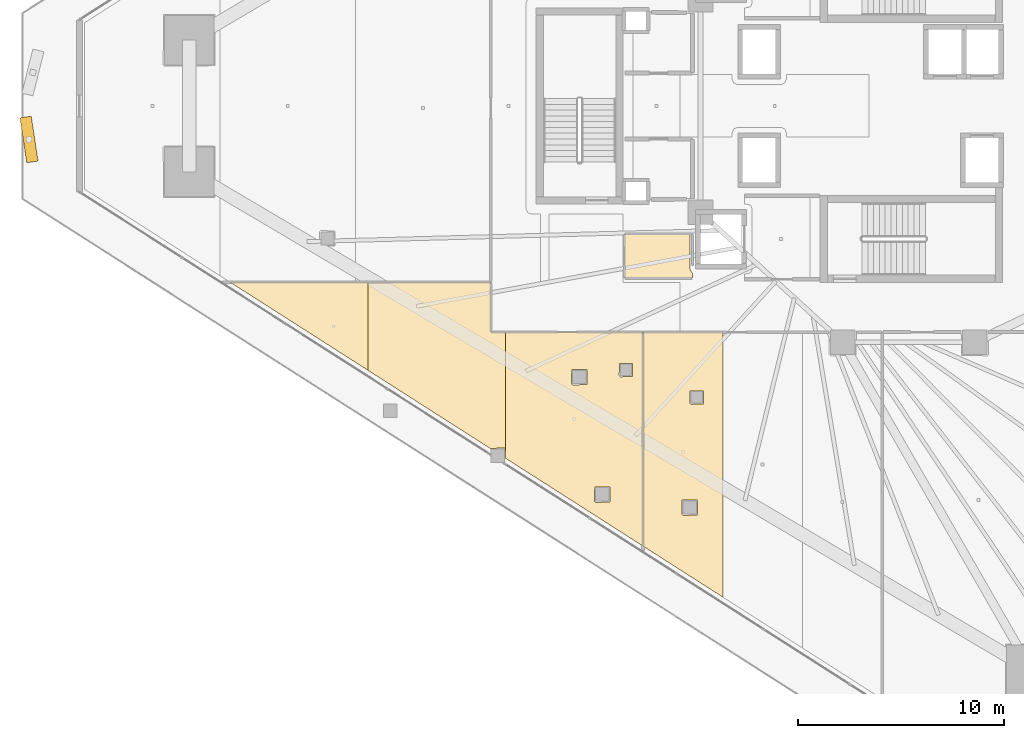
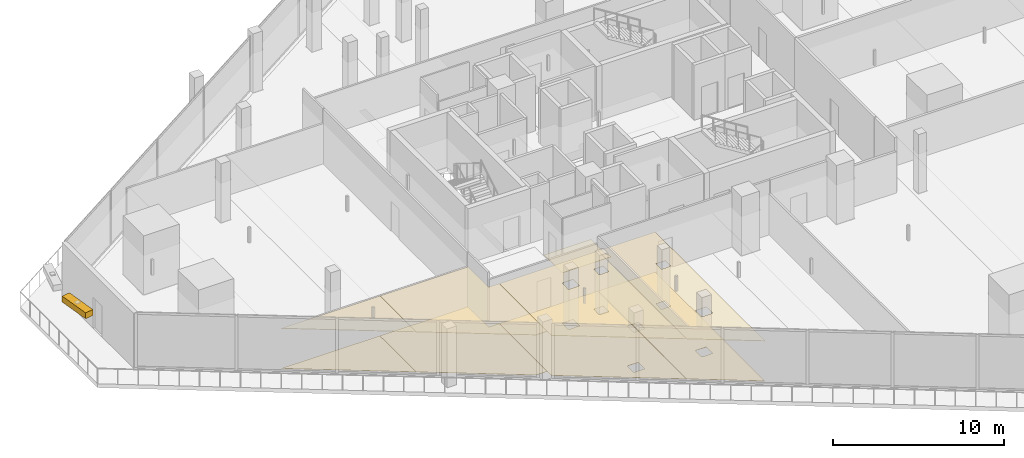
# One storey, part 36 of 44: 9 coverings, 1 shading device.
"""IFC4 building model written with IfcOpenShell, lengths in metres."""

from ifc_helpers import new_model, si_unit, direction, frame, origin, origin_2d, place, context, subcontext, project, spatial, polyline, rectangle, outline, extrude, material, layer, layer_set, type_object, element, save


model = new_model("IFC4")

# Units and contexts
model_context = context("Model", 3, precision=1e-05, world=origin(), true_north=direction((0.0, 1.0)))
body_context = subcontext(model_context, "Body", "Model", "MODEL_VIEW")
ifc_project = project(units=[si_unit("LENGTHUNIT", "METRE"), si_unit("AREAUNIT", "SQUARE_METRE"), si_unit("VOLUMEUNIT", "CUBIC_METRE"), si_unit("PLANEANGLEUNIT", "RADIAN"), si_unit("MASSUNIT", "GRAM", prefix="KILO")], contexts=[model_context])

# Site, building, storey
site_placement = place(None, origin())
site = spatial("IfcSite", under=ifc_project, at=site_placement, CompositionType="ELEMENT")
building_placement = place(site_placement, origin())
building = spatial("IfcBuilding", under=site, at=building_placement, Name="Qorvath Tower", CompositionType="ELEMENT")
storey_placement = place(building_placement, frame((0.0, 0.0, 40.800048828125)))
storey = spatial("IfcBuildingStorey", under=building, at=storey_placement, Name="L08", CompositionType="ELEMENT", Elevation=40.800048828125)

# Coverings
ifc_material_1 = material(Name="Acoustic mineral fibre ceiling tile", Category="gypsum")
ifc_layer_1 = layer(ifc_material_1, 0.030029296875)
ifc_layer_set_1 = layer_set([ifc_layer_1], Name="COV-CEIL")
covering_type_1 = type_object("IfcCoveringType", Name="COV-CEIL", PredefinedType="CEILING", material=ifc_layer_set_1)
covering_1_placement = place(storey_placement, frame((0.0, 0.0, 2.849853515625)))
element("IfcCovering", 1, at=covering_1_placement, inside=storey, type_object=covering_type_1, Name="L08 Suspended Acoustic Ceiling 013", PredefinedType="CEILING", context=body_context, shape_type="SweptSolid", body=[
    extrude(outline(polyline([(-46.624267578125, -12.80615234375), (-46.624267578125, -8.5498046875), (-53.292724609375, -8.5439453125), (-46.624267578125, -12.80615234375)])), origin(), (0.0, 0.0, 1.0), 0.030029296875),
])
covering_2_placement = place(storey_placement, frame((0.0, 0.0, 2.849853515625)))
element("IfcCovering", 2, at=covering_2_placement, inside=storey, type_object=covering_type_1, Name="L08 Suspended Acoustic Ceiling 014", PredefinedType="CEILING", context=body_context, shape_type="SweptSolid", body=[
    extrude(outline(polyline([(-40.6630859375, -8.554931640625), (-46.624267578125, -8.5498046875), (-46.624267578125, -12.80615234375), (-40.701416015625, -16.591796875), (-39.965087890625, -16.58837890625), (-39.9560546875, -16.84033203125), (-39.9560546875, -10.962890625), (-40.657958984375, -10.962890625), (-40.6630859375, -8.554931640625)])), origin(), (0.0, 0.0, 1.0), 0.030029296875),
])
covering_3_placement = place(storey_placement, frame((0.0, 0.0, 2.849853515625)))
element("IfcCovering", 3, at=covering_3_placement, inside=storey, type_object=covering_type_1, Name="L08 Suspended Acoustic Ceiling 015", PredefinedType="CEILING", context=body_context, shape_type="SweptSolid", body=[
    extrude(outline(polyline([(-39.9560546875, -10.962890625), (-39.9560546875, -16.84033203125), (-39.947509765625, -17.07373046875), (-33.28759765625, -21.330078125), (-33.28759765625, -10.962890625), (-39.9560546875, -10.962890625)]), holes=[polyline([(-34.439208984375, -13.0673828125), (-34.421630859375, -12.47509765625), (-33.786865234375, -12.47509765625), (-33.786865234375, -13.10986328125), (-34.379150390625, -13.12744140625), (-34.439208984375, -13.0673828125)]), polyline([(-35.63671875, -19.154296875), (-35.619140625, -18.4619140625), (-34.88427734375, -18.4619140625), (-34.88427734375, -19.19677734375), (-35.57666015625, -19.21435546875), (-35.63671875, -19.154296875)]), polyline([(-36.749755859375, -13.46044921875), (-36.732177734375, -12.76806640625), (-35.997314453125, -12.76806640625), (-35.997314453125, -13.5029296875), (-36.689697265625, -13.5205078125), (-36.749755859375, -13.46044921875)])]), origin(), (0.0, 0.0, 1.0), 0.030029296875),
])
covering_4_placement = place(storey_placement, frame((0.0, 0.0, 2.849853515625)))
element("IfcCovering", 4, at=covering_4_placement, inside=storey, type_object=covering_type_1, Name="L08 Suspended Acoustic Ceiling 016", PredefinedType="CEILING", context=body_context, shape_type="SweptSolid", body=[
    extrude(outline(polyline([(-29.4130859375, -23.806396484375), (-29.4130859375, -10.962890625), (-33.26953125, -10.962890625), (-33.26953125, -21.341796875), (-29.4130859375, -23.806396484375)]), holes=[polyline([(-31.01220703125, -14.3994140625), (-30.99462890625, -13.806884765625), (-30.35986328125, -13.806884765625), (-30.35986328125, -14.441650390625), (-30.9521484375, -14.459228515625), (-31.01220703125, -14.3994140625)]), polyline([(-31.401123046875, -19.785400390625), (-31.383544921875, -19.093017578125), (-30.648681640625, -19.093017578125), (-30.648681640625, -19.827880859375), (-31.341064453125, -19.845458984375), (-31.401123046875, -19.785400390625)])]), origin(), (0.0, 0.0, 1.0), 0.030029296875),
])
ifc_material_2 = material(Name="Low-VOC modular carpet tile", Category="textile")
ifc_layer_2 = layer(ifc_material_2, 0.014892578125)
ifc_layer_set_2 = layer_set([ifc_layer_2], Name="COV-FLOOR-CPT")
covering_type_2 = type_object("IfcCoveringType", Name="COV-FLOOR-CPT", PredefinedType="FLOORING", material=ifc_layer_set_2)
covering_5_placement = place(storey_placement, origin())
element("IfcCovering", 5, at=covering_5_placement, inside=storey, type_object=covering_type_2, Name="L08 Floor Finish 013", PredefinedType="FLOORING", context=body_context, shape_type="SweptSolid", body=[
    extrude(outline(polyline([(-46.624267578125, -12.80615234375), (-46.624267578125, -8.5498046875), (-53.292724609375, -8.5439453125), (-46.624267578125, -12.80615234375)])), origin(), (0.0, 0.0, 1.0), 0.014892578125),
])
covering_6_placement = place(storey_placement, origin())
element("IfcCovering", 6, at=covering_6_placement, inside=storey, type_object=covering_type_2, Name="L08 Floor Finish 014", PredefinedType="FLOORING", context=body_context, shape_type="SweptSolid", body=[
    extrude(outline(polyline([(-40.6630859375, -8.554931640625), (-46.624267578125, -8.5498046875), (-46.624267578125, -12.80615234375), (-40.701416015625, -16.591796875), (-39.965087890625, -16.58837890625), (-39.9560546875, -16.84033203125), (-39.9560546875, -10.962890625), (-40.657958984375, -10.962890625), (-40.6630859375, -8.554931640625)])), origin(), (0.0, 0.0, 1.0), 0.014892578125),
])
covering_7_placement = place(storey_placement, origin())
element("IfcCovering", 7, at=covering_7_placement, inside=storey, type_object=covering_type_2, Name="L08 Floor Finish 015", PredefinedType="FLOORING", context=body_context, shape_type="SweptSolid", body=[
    extrude(outline(polyline([(-39.9560546875, -10.962890625), (-39.9560546875, -16.84033203125), (-39.947509765625, -17.07373046875), (-33.28759765625, -21.330078125), (-33.28759765625, -10.962890625), (-39.9560546875, -10.962890625)]), holes=[polyline([(-34.439208984375, -13.0673828125), (-34.421630859375, -12.47509765625), (-33.786865234375, -12.47509765625), (-33.786865234375, -13.10986328125), (-34.379150390625, -13.12744140625), (-34.439208984375, -13.0673828125)]), polyline([(-35.63671875, -19.154296875), (-35.619140625, -18.4619140625), (-34.88427734375, -18.4619140625), (-34.88427734375, -19.19677734375), (-35.57666015625, -19.21435546875), (-35.63671875, -19.154296875)]), polyline([(-36.749755859375, -13.46044921875), (-36.732177734375, -12.76806640625), (-35.997314453125, -12.76806640625), (-35.997314453125, -13.5029296875), (-36.689697265625, -13.5205078125), (-36.749755859375, -13.46044921875)])]), origin(), (0.0, 0.0, 1.0), 0.014892578125),
])
covering_8_placement = place(storey_placement, origin())
element("IfcCovering", 8, at=covering_8_placement, inside=storey, type_object=covering_type_2, Name="L08 Floor Finish 016", PredefinedType="FLOORING", context=body_context, shape_type="SweptSolid", body=[
    extrude(outline(polyline([(-29.4130859375, -23.806396484375), (-29.4130859375, -10.962890625), (-33.26953125, -10.962890625), (-33.26953125, -21.341796875), (-29.4130859375, -23.806396484375)]), holes=[polyline([(-31.01220703125, -14.3994140625), (-30.99462890625, -13.806884765625), (-30.35986328125, -13.806884765625), (-30.35986328125, -14.441650390625), (-30.9521484375, -14.459228515625), (-31.01220703125, -14.3994140625)]), polyline([(-31.401123046875, -19.785400390625), (-31.383544921875, -19.093017578125), (-30.648681640625, -19.093017578125), (-30.648681640625, -19.827880859375), (-31.341064453125, -19.845458984375), (-31.401123046875, -19.785400390625)])]), origin(), (0.0, 0.0, 1.0), 0.014892578125),
])
ifc_material_3 = material(Name="Polished epoxy terrazzo flooring", Category="concrete")
ifc_layer_3 = layer(ifc_material_3, 0.02001953125)
ifc_layer_set_3 = layer_set([ifc_layer_3], Name="COV-FLOOR-TRZ")
covering_type_3 = type_object("IfcCoveringType", Name="COV-FLOOR-TRZ", PredefinedType="FLOORING", material=ifc_layer_set_3)
covering_9_placement = place(storey_placement, origin())
element("IfcCovering", 9, at=covering_9_placement, inside=storey, type_object=covering_type_3, Name="L08 Floor Finish 005", PredefinedType="FLOORING", context=body_context, shape_type="SweptSolid", body=[
    extrude(outline(polyline([(-30.885009765625, -8.344970703125), (-30.885009765625, -8.108154296875), (-31.010009765625, -7.909912109375), (-31.010009765625, -6.205078125), (-34.175048828125, -6.205078125), (-34.175048828125, -8.344970703125), (-30.885009765625, -8.344970703125)])), origin(), (0.0, 0.0, 1.0), 0.014892578125),
])

# Shading device
ifc_material_4 = material(Name="Anodised bronze-champagne aluminium", Category="aluminium")
shading_device_type = type_object("IfcShadingDeviceType", Name="SD-LOUVRE", PredefinedType="JALOUSIE", material=ifc_material_4)
shading_device_placement = place(storey_placement, frame((-63.044677734375, -1.62353515625, 3.5), z_axis=(0.0, 0.0, 1.0), x_axis=(0.150075466905, -0.988674544141, 0.0)))
element("IfcShadingDevice", 10, at=shading_device_placement, inside=storey, type_object=shading_device_type, Name="Sinusoidal Wave Louvre Blade L08-02", PredefinedType="NOTDEFINED", context=body_context, shape_type="SweptSolid", body=[
    extrude(rectangle(XDim=2.199951171875, YDim=0.550048828125, at=origin_2d()), origin(), (0.0, 0.0, 1.0), 0.419921875),
])

save(model, "model.ifc")
